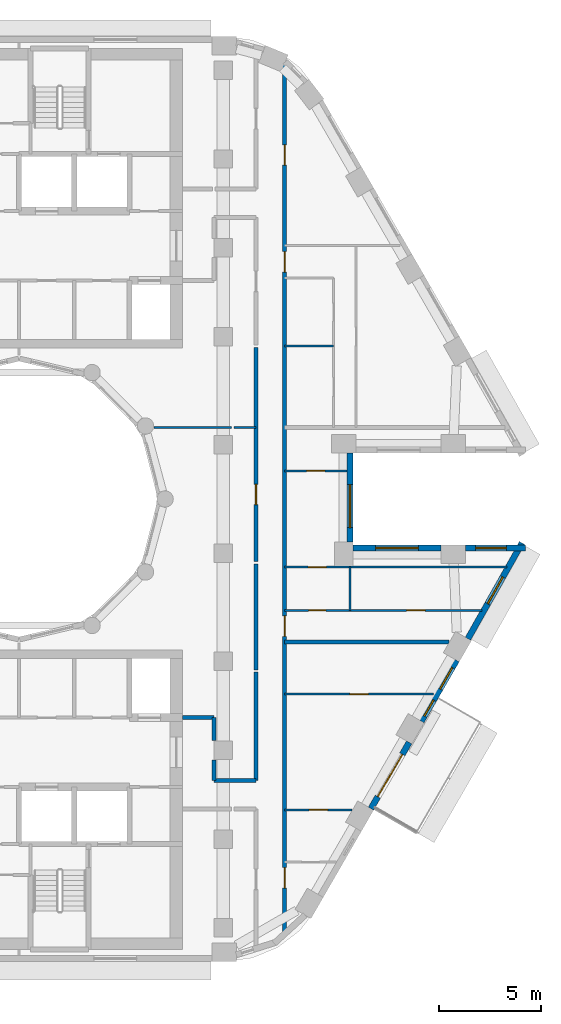
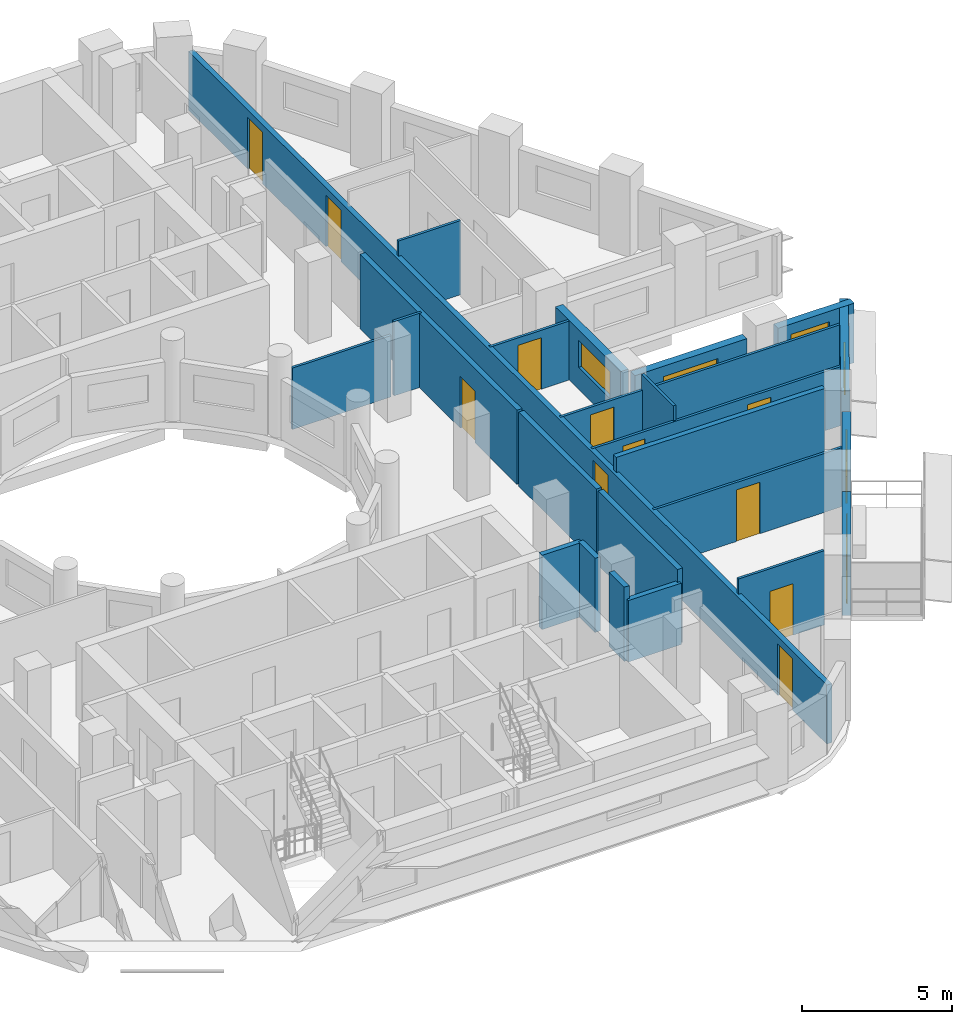
# One storey, part 6 of 16: 24 walls, 12 doors, 6 windows, 18 openings.
"""IFC4 building model written with IfcOpenShell, lengths in metres."""

from ifc_helpers import new_model, si_unit, direction, frame, frame_2d, origin, place, context, subcontext, project, spatial, rectangle, extrude, material, layer, layer_set, type_object, element, fill, save


model = new_model("IFC4")

# Units and contexts
model_context = context("Model", 3, precision=1e-05, world=origin(), true_north=direction((0.0, 1.0)))
body_context = subcontext(model_context, "Body", "Model", "MODEL_VIEW")
ifc_project = project(units=[si_unit("LENGTHUNIT", "METRE"), si_unit("AREAUNIT", "SQUARE_METRE"), si_unit("VOLUMEUNIT", "CUBIC_METRE"), si_unit("PLANEANGLEUNIT", "RADIAN"), si_unit("MASSUNIT", "GRAM", prefix="KILO")], contexts=[model_context])

# Site, building, storey
site_placement = place(None, origin())
site = spatial("IfcSite", under=ifc_project, at=site_placement, CompositionType="ELEMENT")
building_placement = place(site_placement, origin())
building = spatial("IfcBuilding", under=site, at=building_placement, Name="Nakaniwa Court", CompositionType="ELEMENT")
storey_placement = place(building_placement, frame((0.0, 0.0, 199.800048828125)))
storey = spatial("IfcBuildingStorey", under=building, at=storey_placement, Name="L52", CompositionType="ELEMENT", Elevation=199.800048828125)

# Walls
ifc_material_1 = material(Name="Acoustic double stud partition")
ifc_layer_1 = layer(ifc_material_1, 0.199951171875)
ifc_layer_set_1 = layer_set([ifc_layer_1], Name="Acoustic double stud partition")
wall_type_1 = type_object("IfcWallType", Name="Acoustic double stud partition 200", PredefinedType="PARTITIONING", material=ifc_layer_set_1)
wall_1_placement = place(storey_placement, frame((91.60009765625, 66.22509765625, 0.0), z_axis=(0.0, 0.0, 1.0), x_axis=(0.0, 1.0, 0.0)))
element("IfcWall", 1, at=wall_1_placement, inside=storey, type_object=wall_type_1, Name="Partition PW-070", PredefinedType="PARTITIONING", context=body_context, shape_type="SweptSolid", body=[
    extrude(rectangle(XDim=5.297607421875, YDim=0.199951171875, at=frame_2d((2.64892578125, 0.0))), origin(), (0.0, 0.0, 1.0), 3.02490234375),
])
wall_2_placement = place(storey_placement, frame((91.60009765625, 71.63720703125, 0.0), z_axis=(0.0, 0.0, 1.0), x_axis=(0.0, 1.0, 0.0)))
element("IfcWall", 2, at=wall_2_placement, inside=storey, type_object=wall_type_1, Name="Partition PW-071", PredefinedType="PARTITIONING", context=body_context, shape_type="SweptSolid", body=[
    extrude(rectangle(XDim=5.185546875, YDim=0.199951171875, at=frame_2d((2.5927734375, 0.0))), origin(), (0.0, 0.0, 1.0), 3.02490234375),
])

# Wall, opening, door
wall_3_placement = place(storey_placement, frame((91.60009765625, 76.937255859375, 0.0), z_axis=(0.0, 0.0, 1.0), x_axis=(0.0, 1.0, 0.0)))
wall_3 = element("IfcWall", 3, at=wall_3_placement, inside=storey, type_object=wall_type_1, Name="Partition PW-072", PredefinedType="PARTITIONING", context=body_context, shape_type="SweptSolid", body=[
    extrude(rectangle(XDim=10.485595703125, YDim=0.199951171875, at=frame_2d((5.24267578125, 0.0))), origin(), (0.0, 0.0, 1.0), 3.02490234375),
])
opening_1_placement = place(wall_3_placement, frame((2.782958984375, 0.0, 0.0)))
opening_1 = element("IfcOpeningElement", 4, at=opening_1_placement, cuts=wall_3, Name="Opening D-02-02", PredefinedType="OPENING", context=body_context, shape_type="SweptSolid", body=[
    extrude(rectangle(XDim=1.0, YDim=2.10009765625, at=frame_2d((0.5, 1.050048828125))), frame((0.0, 0.10986328125, 0.0), z_axis=(0.0, -1.0, 0.0), x_axis=(1.0, 0.0, 0.0)), (0.0, 0.0, 1.0), 0.219970703125),
])
ifc_material_2 = material(Name="Solid core timber door set, black veneer", Category="wood")
door_type_1 = type_object("IfcDoorType", Name="Internal door 1000", OperationType="NOTDEFINED", PredefinedType="DOOR", material=ifc_material_2)
door_1_placement = place(opening_1_placement, origin())
door_1 = element("IfcDoor", 5, at=door_1_placement, inside=storey, type_object=door_type_1, Name="Door D-02-02 L52-030", OperationType="SINGLE_SWING_LEFT", OverallHeight=2.10009765625, OverallWidth=1.0, PredefinedType="DOOR", context=body_context, shape_type="SweptSolid", body=[
    extrude(rectangle(XDim=1.0, YDim=2.10009765625, at=frame_2d((0.5, 1.050048828125))), frame((0.0, 0.02490234375, 0.0), z_axis=(0.0, -1.0, 0.0), x_axis=(1.0, 0.0, 0.0)), (0.0, 0.0, 1.0), 0.050048828125),
])
fill(opening_1, door_1)

# Wall, openings, doors
wall_4_placement = place(storey_placement, frame((93.0, 101.28076171875, 0.0), z_axis=(0.0, 0.0, 1.0), x_axis=(0.0, -1.0, 0.0)))
wall_4 = element("IfcWall", 6, at=wall_4_placement, inside=storey, type_object=wall_type_1, Name="Partition PW-079", PredefinedType="PARTITIONING", context=body_context, shape_type="SweptSolid", body=[
    extrude(rectangle(XDim=42.6064453125, YDim=0.199951171875, at=frame_2d((21.30322265625, 0.0))), origin(), (0.0, 0.0, 1.0), 2.405029296875),
])
opening_2_placement = place(wall_4_placement, frame((39.330078125, 0.0, 0.0)))
opening_2 = element("IfcOpeningElement", 7, at=opening_2_placement, cuts=wall_4, Name="Opening D-01-01", PredefinedType="OPENING", context=body_context, shape_type="SweptSolid", body=[
    extrude(rectangle(XDim=1.0, YDim=2.10009765625, at=frame_2d((0.5, 1.050048828125))), frame((0.0, 0.10986328125, 0.0), z_axis=(0.0, -1.0, 0.0), x_axis=(1.0, 0.0, 0.0)), (0.0, 0.0, 1.0), 0.219970703125),
])
opening_3_placement = place(wall_4_placement, frame((27.0048828125, 0.0, 0.0)))
opening_3 = element("IfcOpeningElement", 8, at=opening_3_placement, cuts=wall_4, Name="Opening D-01-02", PredefinedType="OPENING", context=body_context, shape_type="SweptSolid", body=[
    extrude(rectangle(XDim=1.0, YDim=2.10009765625, at=frame_2d((0.5, 1.050048828125))), frame((0.0, 0.10986328125, 0.0), z_axis=(0.0, -1.0, 0.0), x_axis=(1.0, 0.0, 0.0)), (0.0, 0.0, 1.0), 0.219970703125),
])
opening_4_placement = place(wall_4_placement, frame((9.16796875, 0.0, 0.0)))
opening_4 = element("IfcOpeningElement", 9, at=opening_4_placement, cuts=wall_4, Name="Opening D-01-03", PredefinedType="OPENING", context=body_context, shape_type="SweptSolid", body=[
    extrude(rectangle(XDim=1.0, YDim=2.10009765625, at=frame_2d((0.5, 1.050048828125))), frame((0.0, 0.10986328125, 0.0), z_axis=(0.0, -1.0, 0.0), x_axis=(1.0, 0.0, 0.0)), (0.0, 0.0, 1.0), 0.219970703125),
])
opening_5_placement = place(wall_4_placement, frame((3.93701171875, 0.0, 0.0)))
opening_5 = element("IfcOpeningElement", 10, at=opening_5_placement, cuts=wall_4, Name="Opening D-02-08", PredefinedType="OPENING", context=body_context, shape_type="SweptSolid", body=[
    extrude(rectangle(XDim=1.0, YDim=2.10009765625, at=frame_2d((0.5, 1.050048828125))), frame((0.0, 0.10986328125, 0.0), z_axis=(0.0, -1.0, 0.0), x_axis=(1.0, 0.0, 0.0)), (0.0, 0.0, 1.0), 0.219970703125),
])
door_type_2 = type_object("IfcDoorType", Name="Flat entrance door 1000", OperationType="NOTDEFINED", PredefinedType="DOOR", material=ifc_material_2)
door_2_placement = place(opening_2_placement, origin())
door_2 = element("IfcDoor", 11, at=door_2_placement, inside=storey, type_object=door_type_2, Name="Door D-01-01 L52-026", OperationType="SINGLE_SWING_LEFT", OverallHeight=2.10009765625, OverallWidth=1.0, PredefinedType="DOOR", context=body_context, shape_type="SweptSolid", body=[
    extrude(rectangle(XDim=1.0, YDim=2.10009765625, at=frame_2d((0.5, 1.050048828125))), frame((0.0, 0.02490234375, 0.0), z_axis=(0.0, -1.0, 0.0), x_axis=(1.0, 0.0, 0.0)), (0.0, 0.0, 1.0), 0.050048828125),
])
fill(opening_2, door_2)
door_3_placement = place(opening_3_placement, origin())
door_3 = element("IfcDoor", 12, at=door_3_placement, inside=storey, type_object=door_type_2, Name="Door D-01-02 L52-031", OperationType="SINGLE_SWING_RIGHT", OverallHeight=2.10009765625, OverallWidth=1.0, PredefinedType="DOOR", context=body_context, shape_type="SweptSolid", body=[
    extrude(rectangle(XDim=1.0, YDim=2.10009765625, at=frame_2d((0.5, 1.050048828125))), frame((0.0, 0.02490234375, 0.0), z_axis=(0.0, -1.0, 0.0), x_axis=(1.0, 0.0, 0.0)), (0.0, 0.0, 1.0), 0.050048828125),
])
fill(opening_3, door_3)
door_4_placement = place(opening_4_placement, origin())
door_4 = element("IfcDoor", 13, at=door_4_placement, inside=storey, type_object=door_type_2, Name="Door D-01-03 L52-037", OperationType="SINGLE_SWING_RIGHT", OverallHeight=2.10009765625, OverallWidth=1.0, PredefinedType="DOOR", context=body_context, shape_type="SweptSolid", body=[
    extrude(rectangle(XDim=1.0, YDim=2.10009765625, at=frame_2d((0.5, 1.050048828125))), frame((0.0, 0.02490234375, 0.0), z_axis=(0.0, -1.0, 0.0), x_axis=(1.0, 0.0, 0.0)), (0.0, 0.0, 1.0), 0.050048828125),
])
fill(opening_4, door_4)
door_5_placement = place(opening_5_placement, origin())
door_5 = element("IfcDoor", 14, at=door_5_placement, inside=storey, type_object=door_type_1, Name="Door D-02-08 L52-055", OperationType="SINGLE_SWING_RIGHT", OverallHeight=2.10009765625, OverallWidth=1.0, PredefinedType="DOOR", context=body_context, shape_type="SweptSolid", body=[
    extrude(rectangle(XDim=1.0, YDim=2.10009765625, at=frame_2d((0.5, 1.050048828125))), frame((0.0, 0.02490234375, 0.0), z_axis=(0.0, -1.0, 0.0), x_axis=(1.0, 0.0, 0.0)), (0.0, 0.0, 1.0), 0.050048828125),
])
fill(opening_5, door_5)

# Walls
wall_5_placement = place(storey_placement, frame((88.0, 69.300048828125, 0.0), z_axis=(0.0, 0.0, 1.0), x_axis=(1.0, 0.0, 0.0)))
element("IfcWall", 15, at=wall_5_placement, inside=storey, type_object=wall_type_1, Name="Partition PW-081", PredefinedType="PARTITIONING", context=body_context, shape_type="SweptSolid", body=[
    extrude(rectangle(XDim=1.550048828125, YDim=0.199951171875, at=frame_2d((0.77490234375, 0.0))), origin(), (0.0, 0.0, 1.0), 3.02490234375),
])
wall_6_placement = place(storey_placement, frame((89.550048828125, 66.22509765625, 0.0), z_axis=(0.0, 0.0, 1.0), x_axis=(0.0, 1.0, 0.0)))
element("IfcWall", 16, at=wall_6_placement, inside=storey, type_object=wall_type_1, Name="Partition PW-082", PredefinedType="PARTITIONING", context=body_context, shape_type="SweptSolid", body=[
    extrude(rectangle(XDim=1.0078125, YDim=0.199951171875, at=frame_2d((0.50390625, 0.0))), origin(), (0.0, 0.0, 1.0), 3.02490234375),
])
wall_7_placement = place(storey_placement, frame((89.550048828125, 68.167236328125, 0.0), z_axis=(0.0, 0.0, 1.0), x_axis=(0.0, 1.0, 0.0)))
element("IfcWall", 17, at=wall_7_placement, inside=storey, type_object=wall_type_1, Name="Partition PW-083", PredefinedType="PARTITIONING", context=body_context, shape_type="SweptSolid", body=[
    extrude(rectangle(XDim=1.1328125, YDim=0.199951171875, at=frame_2d((0.56640625, 0.0))), origin(), (0.0, 0.0, 1.0), 3.02490234375),
])
wall_8_placement = place(storey_placement, frame((89.550048828125, 66.22509765625, 0.0), z_axis=(0.0, 0.0, 1.0), x_axis=(1.0, 0.0, 0.0)))
element("IfcWall", 18, at=wall_8_placement, inside=storey, type_object=wall_type_1, Name="Partition PW-087", PredefinedType="PARTITIONING", context=body_context, shape_type="SweptSolid", body=[
    extrude(rectangle(XDim=2.050048828125, YDim=0.199951171875, at=frame_2d((1.02490234375, 0.0))), origin(), (0.0, 0.0, 1.0), 2.5048828125),
])
wall_9_placement = place(storey_placement, frame((93.0009765625, 73.0, 0.0), z_axis=(0.0, 0.0, 1.0), x_axis=(1.0, 0.0, 0.0)))
element("IfcWall", 19, at=wall_9_placement, inside=storey, type_object=wall_type_1, Name="Partition PW-115", PredefinedType="PARTITIONING", context=body_context, shape_type="SweptSolid", body=[
    extrude(rectangle(XDim=8.04931640625, YDim=0.199951171875, at=frame_2d((4.024658203125, 0.0))), origin(), (0.0, 0.0, 1.0), 3.02490234375),
])

# Wall, opening, door
ifc_material_3 = material(Name="Charcoal ceramic cladding")
ifc_layer_2 = layer(ifc_material_3, 0.02, Name="Ceramic cladding")
ifc_material_4 = material(Name="Ventilated air cavity")
ifc_layer_3 = layer(ifc_material_4, 0.04, ventilated=True, Name="Ventilated cavity")
ifc_material_5 = material(Name="Mineral wool insulation")
ifc_layer_4 = layer(ifc_material_5, 0.1, Name="Insulation")
ifc_material_6 = material(Name="Cement bonded sheathing board")
ifc_layer_5 = layer(ifc_material_6, 0.012, Name="Sheathing")
ifc_material_7 = material(Name="Cold-formed galvanised stud frame with mineral wool infill")
ifc_layer_6 = layer(ifc_material_7, 0.1, Name="Stud frame")
ifc_material_8 = material(Name="Fire-rated gypsum plasterboard lining")
ifc_layer_7 = layer(ifc_material_8, 0.028, Name="Lining")
ifc_layer_set_2 = layer_set([ifc_layer_2, ifc_layer_3, ifc_layer_4, ifc_layer_5, ifc_layer_6, ifc_layer_7], Name="Charcoal ceramic faced external wall system")
wall_type_2 = type_object("IfcWallType", Name="Black ceramic faced external wall 300", PredefinedType="SOLIDWALL", material=ifc_layer_set_2)
wall_10_placement = place(storey_placement, frame((97.22900390625, 64.841552734375, 0.0), z_axis=(0.0, 0.0, 1.0), x_axis=(0.500059225181, 0.86599120741, 0.0)))
wall_10 = element("IfcWall", 20, at=wall_10_placement, inside=storey, type_object=wall_type_2, Name="L52 external wall 30", PredefinedType="SOLIDWALL", context=body_context, shape_type="SweptSolid", body=[
    extrude(rectangle(XDim=3.744140625, YDim=0.300048828125, at=frame_2d((1.8720703125, 0.0))), origin(), (0.0, 0.0, 1.0), 2.425048828125),
])
opening_6_placement = place(wall_10_placement, frame((0.672119140625, 0.0, 0.0)))
opening_6 = element("IfcOpeningElement", 21, at=opening_6_placement, cuts=wall_10, Name="Opening XD13.02", PredefinedType="OPENING", context=body_context, shape_type="SweptSolid", body=[
    extrude(rectangle(XDim=2.39990234375, YDim=2.0, at=frame_2d((1.199951171875, 1.0))), frame((0.0, 0.159912109375, 0.0), z_axis=(0.0, -1.0, 0.0), x_axis=(1.0, 0.0, 0.0)), (0.0, 0.0, 1.0), 0.320068359375),
])
ifc_material_9 = material(Name="Black powder-coated aluminium frame with dark laminated glass", Category="aluminium")
door_type_3 = type_object("IfcDoorType", Name="Balcony sliding door 2400x2000", OperationType="DOUBLE_DOOR_SLIDING", PredefinedType="DOOR", material=ifc_material_9)
door_6_placement = place(opening_6_placement, origin())
door_6 = element("IfcDoor", 22, at=door_6_placement, inside=storey, type_object=door_type_3, Name="L52 balcony sliding door 02", OperationType="DOUBLE_DOOR_SLIDING", OverallHeight=2.0, OverallWidth=2.39990234375, PredefinedType="DOOR", context=body_context, shape_type="SweptSolid", body=[
    extrude(rectangle(XDim=2.39990234375, YDim=2.0, at=frame_2d((1.199951171875, 1.0))), frame((0.0, 0.02490234375, 0.0), z_axis=(0.0, -1.0, 0.0), x_axis=(1.0, 0.0, 0.0)), (0.0, 0.0, 1.0), 0.050048828125),
])
fill(opening_6, door_6)

# Wall, openings, windows
wall_11_placement = place(storey_placement, frame((99.697265625, 69.116455078125, 0.0), z_axis=(0.0, 0.0, 1.0), x_axis=(0.499955427682, 0.866051136095, 0.0)))
wall_11 = element("IfcWall", 23, at=wall_11_placement, inside=storey, type_object=wall_type_2, Name="L52 external wall 31", PredefinedType="SOLIDWALL", context=body_context, shape_type="SweptSolid", body=[
    extrude(rectangle(XDim=3.447021484375, YDim=0.300048828125, at=frame_2d((1.7236328125, 0.0))), origin(), (0.0, 0.0, 1.0), 2.425048828125),
])
opening_7_placement = place(wall_11_placement, frame((0.294677734375, 0.0, 0.89990234375)))
opening_7 = element("IfcOpeningElement", 24, at=opening_7_placement, cuts=wall_11, Name="Opening W9.30", PredefinedType="OPENING", context=body_context, shape_type="SweptSolid", body=[
    extrude(rectangle(XDim=0.89990234375, YDim=1.10009765625, at=frame_2d((0.449951171875, 0.550048828125))), frame((0.0, 0.159912109375, 0.0), z_axis=(0.0, -1.0, 0.0), x_axis=(1.0, 0.0, 0.0)), (0.0, 0.0, 1.0), 0.320068359375),
])
opening_8_placement = place(wall_11_placement, frame((1.831298828125, 0.0, 0.89990234375)))
opening_8 = element("IfcOpeningElement", 25, at=opening_8_placement, cuts=wall_11, Name="Opening W6.31", PredefinedType="OPENING", context=body_context, shape_type="SweptSolid", body=[
    extrude(rectangle(XDim=1.199951171875, YDim=1.10009765625, at=frame_2d((0.60009765625, 0.550048828125))), frame((0.0, 0.159912109375, 0.0), z_axis=(0.0, -1.0, 0.0), x_axis=(1.0, 0.0, 0.0)), (0.0, 0.0, 1.0), 0.320068359375),
])
ifc_material_10 = material(Name="Black anodised aluminium frame with dark low-E laminated double glazing", Category="aluminium")
window_type_1 = type_object("IfcWindowType", Name="Dark glass window 1200x1100 sill 900", PartitioningType="SINGLE_PANEL", PredefinedType="WINDOW", material=ifc_material_10)
window_1_placement = place(opening_8_placement, origin())
window_1 = element("IfcWindow", 26, at=window_1_placement, inside=storey, type_object=window_type_1, Name="L52 habitable room window 31-1", OverallHeight=1.10009765625, OverallWidth=1.199951171875, PartitioningType="SINGLE_PANEL", PredefinedType="WINDOW", context=body_context, shape_type="SweptSolid", body=[
    extrude(rectangle(XDim=1.199951171875, YDim=1.10009765625, at=frame_2d((0.60009765625, 0.550048828125))), frame((0.0, 0.030029296875, 0.0), z_axis=(0.0, -1.0, 0.0), x_axis=(1.0, 0.0, 0.0)), (0.0, 0.0, 1.0), 0.06005859375),
])
fill(opening_8, window_1)
window_type_2 = type_object("IfcWindowType", Name="Dark glass window 900x1100 sill 900", PartitioningType="SINGLE_PANEL", PredefinedType="WINDOW", material=ifc_material_10)
window_2_placement = place(opening_7_placement, origin())
window_2 = element("IfcWindow", 27, at=window_2_placement, inside=storey, type_object=window_type_2, Name="L52 living window 31-0", OverallHeight=1.10009765625, OverallWidth=0.89990234375, PartitioningType="SINGLE_PANEL", PredefinedType="WINDOW", context=body_context, shape_type="SweptSolid", body=[
    extrude(rectangle(XDim=0.89990234375, YDim=1.10009765625, at=frame_2d((0.449951171875, 0.550048828125))), frame((0.0, 0.030029296875, 0.0), z_axis=(0.0, -1.0, 0.0), x_axis=(1.0, 0.0, 0.0)), (0.0, 0.0, 1.0), 0.06005859375),
])
fill(opening_7, window_2)

# Wall, opening, window
wall_12_placement = place(storey_placement, frame((101.976806640625, 73.156982421875, 0.0), z_axis=(0.0, 0.0, 1.0), x_axis=(0.492033360928, 0.870576344575, 0.0)))
wall_12 = element("IfcWall", 28, at=wall_12_placement, inside=storey, type_object=wall_type_2, Name="L52 external wall 32", PredefinedType="SOLIDWALL", context=body_context, shape_type="SweptSolid", body=[
    extrude(rectangle(XDim=5.38671875, YDim=0.300048828125, at=frame_2d((2.693359375, 0.0))), origin(), (0.0, 0.0, 1.0), 2.425048828125),
])
opening_9_placement = place(wall_12_placement, frame((1.971435546875, 0.0, 0.89990234375)))
opening_9 = element("IfcOpeningElement", 29, at=opening_9_placement, cuts=wall_12, Name="Opening W5.32", PredefinedType="OPENING", context=body_context, shape_type="SweptSolid", body=[
    extrude(rectangle(XDim=1.5, YDim=1.10009765625, at=frame_2d((0.75, 0.550048828125))), frame((0.0, 0.159912109375, 0.0), z_axis=(0.0, -1.0, 0.0), x_axis=(1.0, 0.0, 0.0)), (0.0, 0.0, 1.0), 0.320068359375),
])
window_type_3 = type_object("IfcWindowType", Name="Dark glass window 1500x1100 sill 900", PartitioningType="SINGLE_PANEL", PredefinedType="WINDOW", material=ifc_material_10)
window_3_placement = place(opening_9_placement, origin())
window_3 = element("IfcWindow", 30, at=window_3_placement, inside=storey, type_object=window_type_3, Name="L52 habitable room window 32-1", OverallHeight=1.10009765625, OverallWidth=1.5, PartitioningType="SINGLE_PANEL", PredefinedType="WINDOW", context=body_context, shape_type="SweptSolid", body=[
    extrude(rectangle(XDim=1.5, YDim=1.10009765625, at=frame_2d((0.75, 0.550048828125))), frame((0.0, 0.030029296875, 0.0), z_axis=(0.0, -1.0, 0.0), x_axis=(1.0, 0.0, 0.0)), (0.0, 0.0, 1.0), 0.06005859375),
])
fill(opening_9, window_3)

wall_13_placement = place(storey_placement, frame((104.7978515625, 77.60009765625, 0.0), z_axis=(0.0, 0.0, 1.0), x_axis=(-1.0, 0.0, 0.0)))
wall_13 = element("IfcWall", 31, at=wall_13_placement, inside=storey, type_object=wall_type_2, Name="L52 external wall 33", PredefinedType="SOLIDWALL", context=body_context, shape_type="SweptSolid", body=[
    extrude(rectangle(XDim=2.937744140625, YDim=0.300048828125, at=frame_2d((1.46875, 0.0))), origin(), (0.0, 0.0, 1.0), 2.425048828125),
])
opening_10_placement = place(wall_13_placement, frame((0.944091796875, 0.0, 0.89990234375)))
opening_10 = element("IfcOpeningElement", 32, at=opening_10_placement, cuts=wall_13, Name="Opening W5.33", PredefinedType="OPENING", context=body_context, shape_type="SweptSolid", body=[
    extrude(rectangle(XDim=1.5, YDim=1.10009765625, at=frame_2d((0.75, 0.550048828125))), frame((0.0, 0.159912109375, 0.0), z_axis=(0.0, -1.0, 0.0), x_axis=(1.0, 0.0, 0.0)), (0.0, 0.0, 1.0), 0.320068359375),
])
window_4_placement = place(opening_10_placement, origin())
window_4 = element("IfcWindow", 33, at=window_4_placement, inside=storey, type_object=window_type_3, Name="L52 living window 33-0", OverallHeight=1.10009765625, OverallWidth=1.5, PartitioningType="SINGLE_PANEL", PredefinedType="WINDOW", context=body_context, shape_type="SweptSolid", body=[
    extrude(rectangle(XDim=1.5, YDim=1.10009765625, at=frame_2d((0.75, 0.550048828125))), frame((0.0, 0.030029296875, 0.0), z_axis=(0.0, -1.0, 0.0), x_axis=(1.0, 0.0, 0.0)), (0.0, 0.0, 1.0), 0.06005859375),
])
fill(opening_10, window_4)

wall_14_placement = place(storey_placement, frame((100.66796875, 77.60009765625, 0.0), z_axis=(0.0, 0.0, 1.0), x_axis=(-1.0, 0.0, 0.0)))
wall_14 = element("IfcWall", 34, at=wall_14_placement, inside=storey, type_object=wall_type_2, Name="L52 external wall 34", PredefinedType="SOLIDWALL", context=body_context, shape_type="SweptSolid", body=[
    extrude(rectangle(XDim=4.322509765625, YDim=0.300048828125, at=frame_2d((2.1611328125, 0.0))), origin(), (0.0, 0.0, 1.0), 2.425048828125),
])
opening_11_placement = place(wall_14_placement, frame((1.111083984375, 0.0, 0.89990234375)))
opening_11 = element("IfcOpeningElement", 35, at=opening_11_placement, cuts=wall_14, Name="Opening W7.34", PredefinedType="OPENING", context=body_context, shape_type="SweptSolid", body=[
    extrude(rectangle(XDim=2.10009765625, YDim=1.10009765625, at=frame_2d((1.050048828125, 0.550048828125))), frame((0.0, 0.159912109375, 0.0), z_axis=(0.0, -1.0, 0.0), x_axis=(1.0, 0.0, 0.0)), (0.0, 0.0, 1.0), 0.320068359375),
])
window_type_4 = type_object("IfcWindowType", Name="Dark glass window 2100x1100 sill 900", PartitioningType="SINGLE_PANEL", PredefinedType="WINDOW", material=ifc_material_10)
window_5_placement = place(opening_11_placement, origin())
window_5 = element("IfcWindow", 36, at=window_5_placement, inside=storey, type_object=window_type_4, Name="L52 living window 34-0", OverallHeight=1.10009765625, OverallWidth=2.10009765625, PartitioningType="SINGLE_PANEL", PredefinedType="WINDOW", context=body_context, shape_type="SweptSolid", body=[
    extrude(rectangle(XDim=2.10009765625, YDim=1.10009765625, at=frame_2d((1.050048828125, 0.550048828125))), frame((0.0, 0.030029296875, 0.0), z_axis=(0.0, -1.0, 0.0), x_axis=(1.0, 0.0, 0.0)), (0.0, 0.0, 1.0), 0.06005859375),
])
fill(opening_11, window_5)

wall_15_placement = place(storey_placement, frame((96.199462890625, 77.89599609375, 0.0), z_axis=(0.0, 0.0, 1.0), x_axis=(0.0, 1.0, 0.0)))
wall_15 = element("IfcWall", 37, at=wall_15_placement, inside=storey, type_object=wall_type_2, Name="L52 external wall 35", PredefinedType="SOLIDWALL", context=body_context, shape_type="SweptSolid", body=[
    extrude(rectangle(XDim=4.35791015625, YDim=0.300048828125, at=frame_2d((2.178955078125, 0.0))), origin(), (0.0, 0.0, 1.0), 2.425048828125),
])
opening_12_placement = place(wall_15_placement, frame((0.7041015625, 0.0, 0.89990234375)))
opening_12 = element("IfcOpeningElement", 38, at=opening_12_placement, cuts=wall_15, Name="Opening W7.35", PredefinedType="OPENING", context=body_context, shape_type="SweptSolid", body=[
    extrude(rectangle(XDim=2.10009765625, YDim=1.10009765625, at=frame_2d((1.050048828125, 0.550048828125))), frame((0.0, 0.159912109375, 0.0), z_axis=(0.0, -1.0, 0.0), x_axis=(1.0, 0.0, 0.0)), (0.0, 0.0, 1.0), 0.320068359375),
])
window_6_placement = place(opening_12_placement, origin())
window_6 = element("IfcWindow", 39, at=window_6_placement, inside=storey, type_object=window_type_4, Name="L52 living window 35-0", OverallHeight=1.10009765625, OverallWidth=2.10009765625, PartitioningType="SINGLE_PANEL", PredefinedType="WINDOW", context=body_context, shape_type="SweptSolid", body=[
    extrude(rectangle(XDim=2.10009765625, YDim=1.10009765625, at=frame_2d((1.050048828125, 0.550048828125))), frame((0.0, 0.030029296875, 0.0), z_axis=(0.0, -1.0, 0.0), x_axis=(1.0, 0.0, 0.0)), (0.0, 0.0, 1.0), 0.06005859375),
])
fill(opening_12, window_6)

# Wall, opening, door
ifc_material_11 = material(Name="Single stud plasterboard partition")
ifc_layer_8 = layer(ifc_material_11, 0.10009765625)
ifc_layer_set_3 = layer_set([ifc_layer_8], Name="Single stud plasterboard partition")
wall_type_3 = type_object("IfcWallType", Name="Single stud plasterboard partition 100", PredefinedType="PARTITIONING", material=ifc_layer_set_3)
wall_16_placement = place(storey_placement, frame((93.0009765625, 64.777099609375, 0.0), z_axis=(0.0, 0.0, 1.0), x_axis=(1.0, 0.0, 0.0)))
wall_16 = element("IfcWall", 40, at=wall_16_placement, inside=storey, type_object=wall_type_3, Name="Partition PW-113", PredefinedType="PARTITIONING", context=body_context, shape_type="SweptSolid", body=[
    extrude(rectangle(XDim=3.3017578125, YDim=0.10009765625, at=frame_2d((1.65087890625, 0.0))), origin(), (0.0, 0.0, 1.0), 3.02490234375),
])
opening_13_placement = place(wall_16_placement, frame((1.200927734375, 0.0, 0.0)))
opening_13 = element("IfcOpeningElement", 41, at=opening_13_placement, cuts=wall_16, Name="Opening D-33-01", PredefinedType="OPENING", context=body_context, shape_type="SweptSolid", body=[
    extrude(rectangle(XDim=0.89990234375, YDim=2.10009765625, at=frame_2d((0.449951171875, 1.050048828125))), frame((0.0, 0.06005859375, 0.0), z_axis=(0.0, -1.0, 0.0), x_axis=(1.0, 0.0, 0.0)), (0.0, 0.0, 1.0), 0.1201171875),
])
door_type_4 = type_object("IfcDoorType", Name="Internal door 900", OperationType="NOTDEFINED", PredefinedType="DOOR", material=ifc_material_2)
door_7_placement = place(opening_13_placement, origin())
door_7 = element("IfcDoor", 42, at=door_7_placement, inside=storey, type_object=door_type_4, Name="Door D-33-01 L52-028", OperationType="SINGLE_SWING_LEFT", OverallHeight=2.10009765625, OverallWidth=0.89990234375, PredefinedType="DOOR", context=body_context, shape_type="SweptSolid", body=[
    extrude(rectangle(XDim=0.89990234375, YDim=2.10009765625, at=frame_2d((0.449951171875, 1.050048828125))), frame((0.0, 0.02490234375, 0.0), z_axis=(0.0, -1.0, 0.0), x_axis=(1.0, 0.0, 0.0)), (0.0, 0.0, 1.0), 0.050048828125),
])
fill(opening_13, door_7)

wall_17_placement = place(storey_placement, frame((93.0009765625, 70.447998046875, 0.0), z_axis=(0.0, 0.0, 1.0), x_axis=(1.0, 0.0, 0.0)))
wall_17 = element("IfcWall", 43, at=wall_17_placement, inside=storey, type_object=wall_type_3, Name="Partition PW-114", PredefinedType="PARTITIONING", context=body_context, shape_type="SweptSolid", body=[
    extrude(rectangle(XDim=7.291748046875, YDim=0.10009765625, at=frame_2d((3.64599609375, 0.0))), origin(), (0.0, 0.0, 1.0), 2.405029296875),
])
opening_14_placement = place(wall_17_placement, frame((3.196044921875, 0.0, 0.0)))
opening_14 = element("IfcOpeningElement", 44, at=opening_14_placement, cuts=wall_17, Name="Opening D-33-02", PredefinedType="OPENING", context=body_context, shape_type="SweptSolid", body=[
    extrude(rectangle(XDim=0.89990234375, YDim=2.10009765625, at=frame_2d((0.449951171875, 1.050048828125))), frame((0.0, 0.06005859375, 0.0), z_axis=(0.0, -1.0, 0.0), x_axis=(1.0, 0.0, 0.0)), (0.0, 0.0, 1.0), 0.1201171875),
])
door_8_placement = place(opening_14_placement, origin())
door_8 = element("IfcDoor", 45, at=door_8_placement, inside=storey, type_object=door_type_4, Name="Door D-33-02 L52-029", OperationType="SINGLE_SWING_RIGHT", OverallHeight=2.10009765625, OverallWidth=0.89990234375, PredefinedType="DOOR", context=body_context, shape_type="SweptSolid", body=[
    extrude(rectangle(XDim=0.89990234375, YDim=2.10009765625, at=frame_2d((0.449951171875, 1.050048828125))), frame((0.0, 0.02490234375, 0.0), z_axis=(0.0, -1.0, 0.0), x_axis=(1.0, 0.0, 0.0)), (0.0, 0.0, 1.0), 0.050048828125),
])
fill(opening_14, door_8)

# Walls
wall_18_placement = place(storey_placement, frame((86.604736328125, 83.5, 0.0), z_axis=(0.0, 0.0, 1.0), x_axis=(1.0, 0.0, 0.0)))
element("IfcWall", 46, at=wall_18_placement, inside=storey, type_object=wall_type_3, Name="Partition PW-116", PredefinedType="PARTITIONING", context=body_context, shape_type="SweptSolid", body=[
    extrude(rectangle(XDim=3.80517578125, YDim=0.10009765625, at=frame_2d((1.902587890625, 0.0))), origin(), (0.0, 0.0, 1.0), 2.5048828125),
])
wall_19_placement = place(storey_placement, frame((90.530029296875, 83.5, 0.0), z_axis=(0.0, 0.0, 1.0), x_axis=(1.0, 0.0, 0.0)))
element("IfcWall", 47, at=wall_19_placement, inside=storey, type_object=wall_type_3, Name="Partition PW-117", PredefinedType="PARTITIONING", context=body_context, shape_type="SweptSolid", body=[
    extrude(rectangle(XDim=1.069091796875, YDim=0.10009765625, at=frame_2d((0.53466796875, 0.0))), origin(), (0.0, 0.0, 1.0), 3.02490234375),
])

# Wall, openings, doors
wall_20_placement = place(storey_placement, frame((93.0009765625, 74.550048828125, 0.0), z_axis=(0.0, 0.0, 1.0), x_axis=(1.0, 0.0, 0.0)))
wall_20 = element("IfcWall", 48, at=wall_20_placement, inside=storey, type_object=wall_type_3, Name="Partition PW-118", PredefinedType="PARTITIONING", context=body_context, shape_type="SweptSolid", body=[
    extrude(rectangle(XDim=9.659912109375, YDim=0.10009765625, at=frame_2d((4.830078125, 0.0))), origin(), (0.0, 0.0, 1.0), 2.405029296875),
])
opening_15_placement = place(wall_20_placement, frame((1.175048828125, 0.0, 0.0)))
opening_15 = element("IfcOpeningElement", 49, at=opening_15_placement, cuts=wall_20, Name="Opening D-03-02", PredefinedType="OPENING", context=body_context, shape_type="SweptSolid", body=[
    extrude(rectangle(XDim=0.85009765625, YDim=2.10009765625, at=frame_2d((0.425048828125, 1.050048828125))), frame((0.0, 0.06005859375, 0.0), z_axis=(0.0, -1.0, 0.0), x_axis=(1.0, 0.0, 0.0)), (0.0, 0.0, 1.0), 0.1201171875),
])
opening_16_placement = place(wall_20_placement, frame((5.97998046875, 0.0, 0.0)))
opening_16 = element("IfcOpeningElement", 50, at=opening_16_placement, cuts=wall_20, Name="Opening D-33-03", PredefinedType="OPENING", context=body_context, shape_type="SweptSolid", body=[
    extrude(rectangle(XDim=0.89990234375, YDim=2.10009765625, at=frame_2d((0.449951171875, 1.050048828125))), frame((0.0, 0.06005859375, 0.0), z_axis=(0.0, -1.0, 0.0), x_axis=(1.0, 0.0, 0.0)), (0.0, 0.0, 1.0), 0.1201171875),
])
ifc_material_12 = material(Name="Moisture sealed timber door set", Category="wood")
door_type_5 = type_object("IfcDoorType", Name="Bathroom door 850", OperationType="NOTDEFINED", PredefinedType="DOOR", material=ifc_material_12)
door_9_placement = place(opening_15_placement, origin())
door_9 = element("IfcDoor", 51, at=door_9_placement, inside=storey, type_object=door_type_5, Name="Door D-03-02 L52-032", OperationType="SINGLE_SWING_LEFT", OverallHeight=2.10009765625, OverallWidth=0.85009765625, PredefinedType="DOOR", context=body_context, shape_type="SweptSolid", body=[
    extrude(rectangle(XDim=0.85009765625, YDim=2.10009765625, at=frame_2d((0.425048828125, 1.050048828125))), frame((0.0, 0.02490234375, 0.0), z_axis=(0.0, -1.0, 0.0), x_axis=(1.0, 0.0, 0.0)), (0.0, 0.0, 1.0), 0.050048828125),
])
fill(opening_15, door_9)
door_10_placement = place(opening_16_placement, origin())
door_10 = element("IfcDoor", 52, at=door_10_placement, inside=storey, type_object=door_type_4, Name="Door D-33-03 L52-033", OperationType="SINGLE_SWING_RIGHT", OverallHeight=2.10009765625, OverallWidth=0.89990234375, PredefinedType="DOOR", context=body_context, shape_type="SweptSolid", body=[
    extrude(rectangle(XDim=0.89990234375, YDim=2.10009765625, at=frame_2d((0.449951171875, 1.050048828125))), frame((0.0, 0.02490234375, 0.0), z_axis=(0.0, -1.0, 0.0), x_axis=(1.0, 0.0, 0.0)), (0.0, 0.0, 1.0), 0.050048828125),
])
fill(opening_16, door_10)

# Wall
wall_21_placement = place(storey_placement, frame((96.200927734375, 74.550048828125, 0.0), z_axis=(0.0, 0.0, 1.0), x_axis=(0.0, 1.0, 0.0)))
element("IfcWall", 53, at=wall_21_placement, inside=storey, type_object=wall_type_3, Name="Partition PW-119", PredefinedType="PARTITIONING", context=body_context, shape_type="SweptSolid", body=[
    extrude(rectangle(XDim=2.11962890625, YDim=0.10009765625, at=frame_2d((1.059814453125, 0.0))), origin(), (0.0, 0.0, 1.0), 3.02490234375),
])

# Wall, opening, door
wall_22_placement = place(storey_placement, frame((93.0009765625, 76.669921875, 0.0), z_axis=(0.0, 0.0, 1.0), x_axis=(1.0, 0.0, 0.0)))
wall_22 = element("IfcWall", 54, at=wall_22_placement, inside=storey, type_object=wall_type_3, Name="Partition PW-120", PredefinedType="PARTITIONING", context=body_context, shape_type="SweptSolid", body=[
    extrude(rectangle(XDim=10.884033203125, YDim=0.10009765625, at=frame_2d((5.44189453125, 0.0))), origin(), (0.0, 0.0, 1.0), 2.405029296875),
])
opening_17_placement = place(wall_22_placement, frame((1.15087890625, 0.0, 0.0)))
opening_17 = element("IfcOpeningElement", 55, at=opening_17_placement, cuts=wall_22, Name="Opening D-33-04", PredefinedType="OPENING", context=body_context, shape_type="SweptSolid", body=[
    extrude(rectangle(XDim=0.89990234375, YDim=2.10009765625, at=frame_2d((0.449951171875, 1.050048828125))), frame((0.0, 0.06005859375, 0.0), z_axis=(0.0, -1.0, 0.0), x_axis=(1.0, 0.0, 0.0)), (0.0, 0.0, 1.0), 0.1201171875),
])
door_11_placement = place(opening_17_placement, origin())
door_11 = element("IfcDoor", 56, at=door_11_placement, inside=storey, type_object=door_type_4, Name="Door D-33-04 L52-034", OperationType="SINGLE_SWING_LEFT", OverallHeight=2.10009765625, OverallWidth=0.89990234375, PredefinedType="DOOR", context=body_context, shape_type="SweptSolid", body=[
    extrude(rectangle(XDim=0.89990234375, YDim=2.10009765625, at=frame_2d((0.449951171875, 1.050048828125))), frame((0.0, 0.02490234375, 0.0), z_axis=(0.0, -1.0, 0.0), x_axis=(1.0, 0.0, 0.0)), (0.0, 0.0, 1.0), 0.050048828125),
])
fill(opening_17, door_11)

wall_23_placement = place(storey_placement, frame((93.0009765625, 81.3798828125, 0.0), z_axis=(0.0, 0.0, 1.0), x_axis=(1.0, 0.0, 0.0)))
wall_23 = element("IfcWall", 57, at=wall_23_placement, inside=storey, type_object=wall_type_3, Name="Partition PW-121", PredefinedType="PARTITIONING", context=body_context, shape_type="SweptSolid", body=[
    extrude(rectangle(XDim=3.048583984375, YDim=0.10009765625, at=frame_2d((1.5244140625, 0.0))), origin(), (0.0, 0.0, 1.0), 2.405029296875),
])
opening_18_placement = place(wall_23_placement, frame((1.073974609375, 0.0, 0.0)))
opening_18 = element("IfcOpeningElement", 58, at=opening_18_placement, cuts=wall_23, Name="Opening D-33-05", PredefinedType="OPENING", context=body_context, shape_type="SweptSolid", body=[
    extrude(rectangle(XDim=0.89990234375, YDim=2.10009765625, at=frame_2d((0.449951171875, 1.050048828125))), frame((0.0, 0.06005859375, 0.0), z_axis=(0.0, -1.0, 0.0), x_axis=(1.0, 0.0, 0.0)), (0.0, 0.0, 1.0), 0.1201171875),
])
door_12_placement = place(opening_18_placement, origin())
door_12 = element("IfcDoor", 59, at=door_12_placement, inside=storey, type_object=door_type_4, Name="Door D-33-05 L52-035", OperationType="SINGLE_SWING_RIGHT", OverallHeight=2.10009765625, OverallWidth=0.89990234375, PredefinedType="DOOR", context=body_context, shape_type="SweptSolid", body=[
    extrude(rectangle(XDim=0.89990234375, YDim=2.10009765625, at=frame_2d((0.449951171875, 1.050048828125))), frame((0.0, 0.02490234375, 0.0), z_axis=(0.0, -1.0, 0.0), x_axis=(1.0, 0.0, 0.0)), (0.0, 0.0, 1.0), 0.050048828125),
])
fill(opening_18, door_12)

# Wall
wall_24_placement = place(storey_placement, frame((93.0009765625, 87.489013671875, 0.0), z_axis=(0.0, 0.0, 1.0), x_axis=(1.0, 0.0, 0.0)))
element("IfcWall", 60, at=wall_24_placement, inside=storey, type_object=wall_type_3, Name="Partition PW-123", PredefinedType="PARTITIONING", context=body_context, shape_type="SweptSolid", body=[
    extrude(rectangle(XDim=2.39990234375, YDim=0.10009765625, at=frame_2d((1.199951171875, 0.0))), origin(), (0.0, 0.0, 1.0), 3.02490234375),
])

save(model, "model.ifc")
